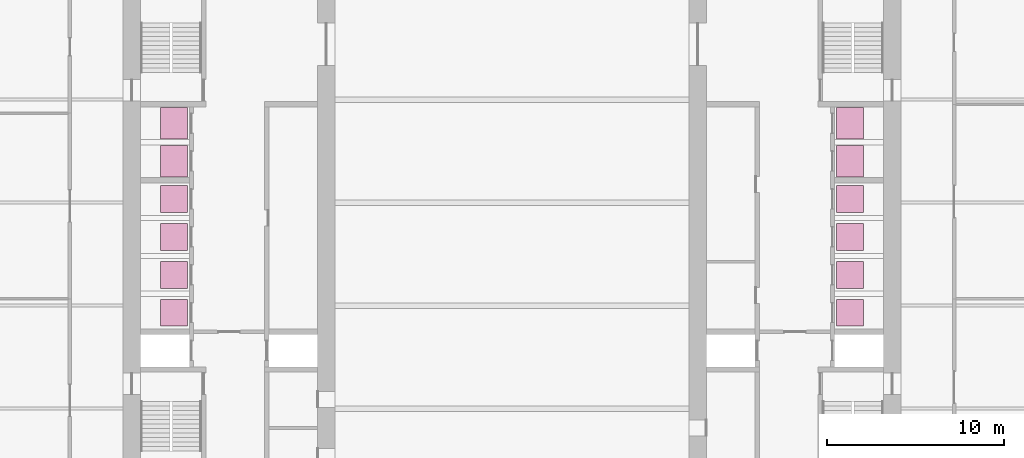
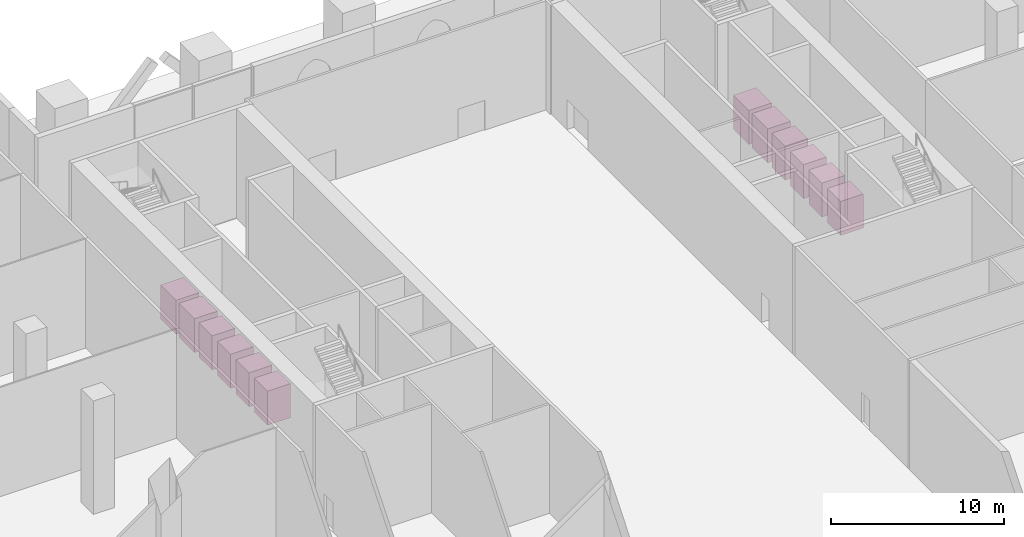
# One storey, part 38 of 38: 12 transport elements.
"""IFC4 building model written with IfcOpenShell, lengths in metres."""

from ifc_helpers import new_model, si_unit, direction, frame, origin, origin_2d, place, context, subcontext, project, spatial, rectangle, extrude, material, type_object, element, save


model = new_model("IFC4")

# Units and contexts
model_context = context("Model", 3, precision=1e-05, world=origin(), true_north=direction((0.0, 1.0)))
body_context = subcontext(model_context, "Body", "Model", "MODEL_VIEW")
ifc_project = project(units=[si_unit("LENGTHUNIT", "METRE"), si_unit("AREAUNIT", "SQUARE_METRE"), si_unit("VOLUMEUNIT", "CUBIC_METRE"), si_unit("PLANEANGLEUNIT", "RADIAN"), si_unit("MASSUNIT", "GRAM", prefix="KILO")], contexts=[model_context])

# Site, building, storey
site_placement = place(None, origin())
site = spatial("IfcSite", under=ifc_project, at=site_placement, CompositionType="ELEMENT")
building_placement = place(site_placement, origin())
building = spatial("IfcBuilding", under=site, at=building_placement, Name="Ogive Exchange Tower", CompositionType="ELEMENT")
storey_placement = place(building_placement, origin())
storey = spatial("IfcBuildingStorey", under=building, at=storey_placement, Name="L00", CompositionType="ELEMENT", Elevation=0.0)

# Transport elements
ifc_material = material(Name="Stainless steel", Category="steel")
transport_element_type_1 = type_object("IfcTransportElementType", Name="Passenger lift 1525 x 1525", PredefinedType="ELEVATOR", material=ifc_material)
for number, where, z_axis, x_axis, name in (
    (1, (-19.112548828125, 7.21435546875, 0.0), (0.0, 0.0, 1.0), (1.0, 0.0, 0.0), "Passenger lift W-L1"),
    (2, (-19.112548828125, 9.357177734375, 0.0), (0.0, 0.0, 1.0), (1.0, 0.0, 0.0), "Passenger lift W-L2"),
    (3, (-19.112548828125, 11.5, 0.0), (0.0, 0.0, 1.0), (1.0, 0.0, 0.0), "Passenger lift W-L3"),
    (4, (-19.112548828125, 13.642822265625, 0.0), (0.0, 0.0, 1.0), (1.0, 0.0, 0.0), "Passenger lift W-L4"),
    (5, (19.112548828125, 7.21435546875, 0.0), (0.0, 0.0, 1.0), (1.0, 0.0, 0.0), "Passenger lift E-L1"),
    (6, (19.112548828125, 9.357177734375, 0.0), (0.0, 0.0, 1.0), (1.0, 0.0, 0.0), "Passenger lift E-L2"),
    (7, (19.112548828125, 11.5, 0.0), (0.0, 0.0, 1.0), (1.0, 0.0, 0.0), "Passenger lift E-L3"),
    (8, (19.112548828125, 13.642822265625, 0.0), (0.0, 0.0, 1.0), (1.0, 0.0, 0.0), "Passenger lift E-L4"),
):
    element("IfcTransportElement", number, at=place(storey_placement, frame(where, z_axis=z_axis, x_axis=x_axis)), inside=storey, type_object=transport_element_type_1, Name=name, PredefinedType="ELEVATOR", context=body_context, shape_type="SweptSolid", body=[
        extrude(rectangle(XDim=1.52490234375, YDim=1.52490234375, at=origin_2d()), origin(), (0.0, 0.0, 1.0), 2.39990234375),
    ])
transport_element_type_2 = type_object("IfcTransportElementType", Name="Shuttle lift 1800 x 1525", PredefinedType="ELEVATOR", material=ifc_material)
for number, where, z_axis, x_axis, name in (
    (9, (-19.112548828125, 15.78564453125, 0.0), (0.0, 0.0, 1.0), (1.0, 0.0, 0.0), "Shuttle lift W-SH1"),
    (10, (-19.112548828125, 17.9287109375, 0.0), (0.0, 0.0, 1.0), (1.0, 0.0, 0.0), "Shuttle lift W-SH2"),
    (11, (19.112548828125, 15.78564453125, 0.0), (0.0, 0.0, 1.0), (1.0, 0.0, 0.0), "Shuttle lift E-SH1"),
    (12, (19.112548828125, 17.9287109375, 0.0), (0.0, 0.0, 1.0), (1.0, 0.0, 0.0), "Shuttle lift E-SH2"),
):
    element("IfcTransportElement", number, at=place(storey_placement, frame(where, z_axis=z_axis, x_axis=x_axis)), inside=storey, type_object=transport_element_type_2, Name=name, PredefinedType="ELEVATOR", context=body_context, shape_type="SweptSolid", body=[
        extrude(rectangle(XDim=1.52490234375, YDim=1.800048828125, at=origin_2d()), origin(), (0.0, 0.0, 1.0), 2.39990234375),
    ])

save(model, "model.ifc")
